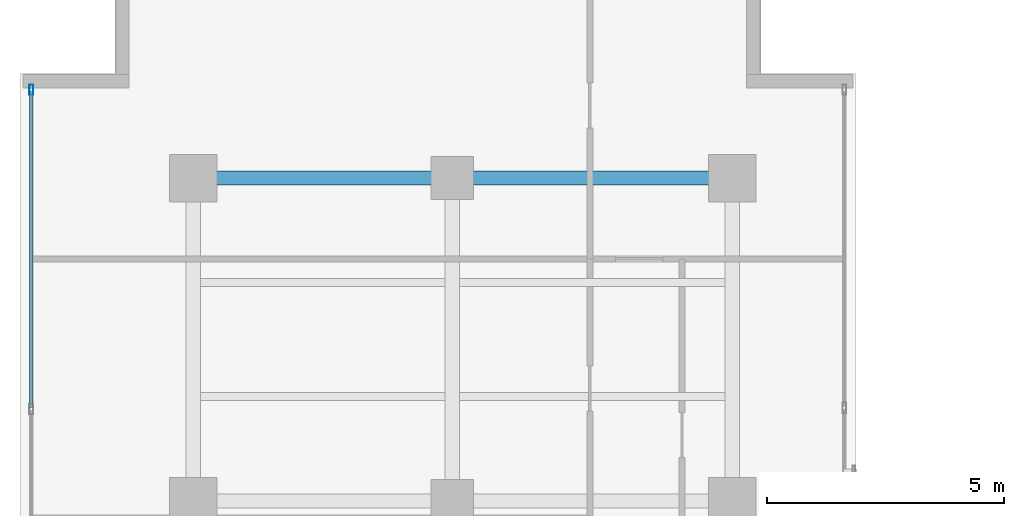
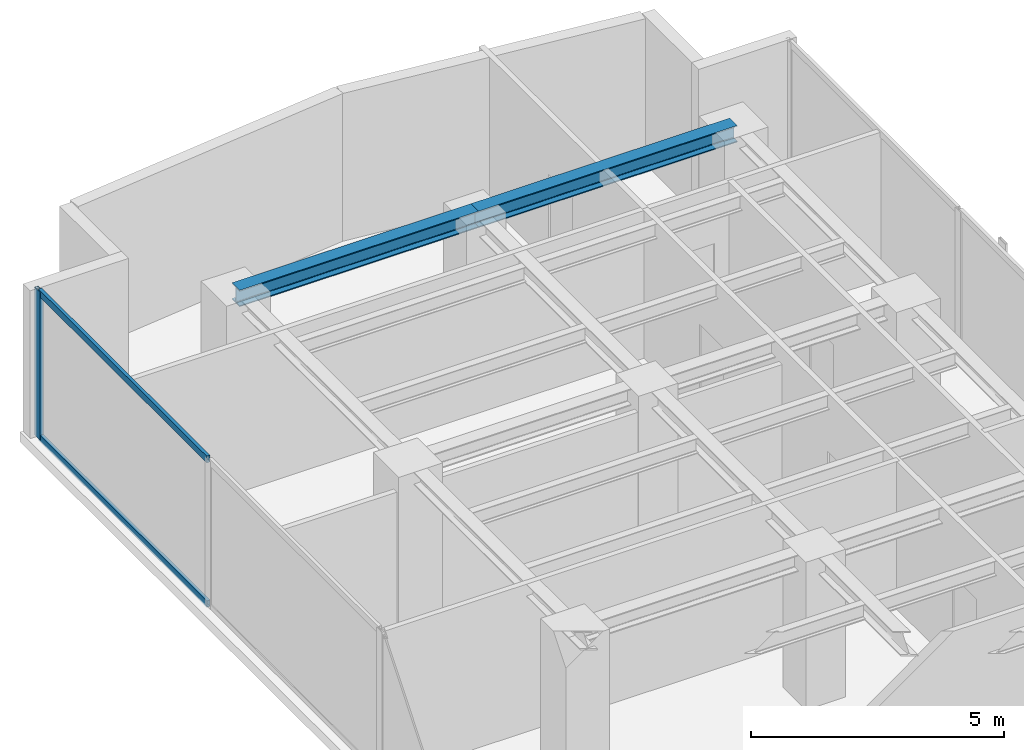
# One storey, part 13 of 23: 3 members, 2 beams, 1 element without a shape of its own.
"""IFC4 building model written with IfcOpenShell, lengths in metres."""

import ifcopenshell
import ifcopenshell.guid

model = None  # the IFC model being written
_history = None  # IfcOwnerHistory: only IFC2X3 demands one
_inside = {}  # id of a spatial element -> (the spatial element, [elements in it])
_under = {}  # id of a project, library or spatial element -> (it, [spatial elements below it])
_declared = {}  # id of a project -> (the project, [libraries it declares])
_typed = {}  # id of a type object -> (the type object, [elements of that type])
_made_of = {}  # id of a material, layer set ... -> (it, [elements and type objects made of it])


def new_model(schema):
    """Start an empty IFC model of exactly this schema.

    Asked for "IFC4X3", IfcOpenShell would pick the latest addendum, in which some entities
    have other attributes; the version numbers below select the first issue.
    IFC2X3 requires an IfcOwnerHistory on every rooted entity: one is made here for all.
    """
    global model, _history
    if schema == "IFC4X3":
        model = ifcopenshell.file(schema_version=(4, 3, 0, 0))
    else:
        model = ifcopenshell.file(schema=schema)
    _inside.clear()
    _under.clear()
    _declared.clear()
    _typed.clear()
    _made_of.clear()
    _history = None
    if model.schema == "IFC2X3":
        org = make("IfcOrganization", Name="unknown")
        user = make(
            "IfcPersonAndOrganization",
            ThePerson=make("IfcPerson", FamilyName="unknown"),
            TheOrganization=org,
        )
        app = make(
            "IfcApplication",
            ApplicationDeveloper=org,
            Version="unknown",
            ApplicationFullName="unknown",
            ApplicationIdentifier="unknown",
        )
        _history = make(
            "IfcOwnerHistory",
            OwningUser=user,
            OwningApplication=app,
            ChangeAction="ADDED",
            CreationDate=0,
        )
    return model


def make(cls, **values):
    """One entity of the class cls with the attributes given. An attribute that is None is left unset."""
    return model.create_entity(
        cls, **{name: value for name, value in values.items() if value is not None}
    )


def rooted(cls, **values):
    """An entity with a GlobalId (a new one), such as an element, a storey or a relation."""
    return make(cls, GlobalId=ifcopenshell.guid.new(), OwnerHistory=_history, **values)


def si_unit(unit_type, name, prefix=None):
    """IfcSIUnit, for example si_unit("LENGTHUNIT", "METRE", prefix="MILLI")."""
    return make("IfcSIUnit", UnitType=unit_type, Prefix=prefix, Name=name)


def assignment(units):
    """IfcUnitAssignment: the units of a project."""
    return None if units is None else make("IfcUnitAssignment", Units=units)


def point(xyz):
    """IfcCartesianPoint."""
    return None if xyz is None else make("IfcCartesianPoint", Coordinates=xyz)


def direction(xyz):
    """IfcDirection."""
    return None if xyz is None else make("IfcDirection", DirectionRatios=xyz)


def frame(location, z_axis=None, x_axis=None):
    """IfcAxis2Placement3D, a coordinate frame: its origin and axes. An axis left out is left unset."""
    return make(
        "IfcAxis2Placement3D",
        Location=point(location),
        Axis=direction(z_axis),
        RefDirection=direction(x_axis),
    )


def frame_2d(location, x_axis=None):
    """IfcAxis2Placement2D, a coordinate frame in the plane: its origin and x axis."""
    return make(
        "IfcAxis2Placement2D", Location=point(location), RefDirection=direction(x_axis)
    )


def origin():
    """The frame at (0, 0, 0) with its axes left unset."""
    return frame((0.0, 0.0, 0.0))


def origin_with_axes():
    """The frame at (0, 0, 0) with the z axis (0, 0, 1) and the x axis (1, 0, 0) written out."""
    return frame((0.0, 0.0, 0.0), z_axis=(0.0, 0.0, 1.0), x_axis=(1.0, 0.0, 0.0))


def origin_2d():
    """The frame at (0, 0) in the plane with its x axis left unset."""
    return frame_2d((0.0, 0.0))


def place(relative_to, where):
    """IfcLocalPlacement: puts the frame where relative to a parent placement (None: the world)."""
    return make(
        "IfcLocalPlacement", PlacementRelTo=relative_to, RelativePlacement=where
    )


def context(
    kind, dimensions, precision=None, world=None, true_north=None, identifier=None
):
    """IfcGeometricRepresentationContext, for example the 3D "Model" context."""
    return make(
        "IfcGeometricRepresentationContext",
        ContextIdentifier=identifier,
        ContextType=kind,
        CoordinateSpaceDimension=dimensions,
        Precision=precision,
        WorldCoordinateSystem=world,
        TrueNorth=true_north,
    )


def subcontext(parent, identifier, kind, view, scale=None):
    """IfcGeometricRepresentationSubContext, for example "Body" below "Model"."""
    return make(
        "IfcGeometricRepresentationSubContext",
        ContextIdentifier=identifier,
        ContextType=kind,
        ParentContext=parent,
        TargetScale=scale,
        TargetView=view,
    )


def project(units=None, contexts=None):
    """IfcProject with its units and contexts."""
    return rooted(
        "IfcProject",
        Name="project",
        RepresentationContexts=contexts,
        UnitsInContext=assignment(units),
    )


def spatial(cls, under=None, at=None, **own):
    """A site, building, storey or space (cls), placed at a placement, below another one or the project."""
    s = rooted(cls, ObjectPlacement=at, **own)
    if under is not None:
        _under.setdefault(under.id(), (under, []))[1].append(s)
    return s


def profile(cls, at=None, kind="AREA", **sizes):
    """A parametric profile (cls). Its sizes go by their IFC names, for example OverallWidth=200.0."""
    return make(cls, ProfileType=kind, Position=at, **sizes)


def hollow_rectangle(**sizes):
    """IfcRectangleHollowProfileDef."""
    return profile("IfcRectangleHollowProfileDef", **sizes)


def i_section(**sizes):
    """IfcIShapeProfileDef."""
    return profile("IfcIShapeProfileDef", **sizes)


def extrude(swept, where, along, depth):
    """IfcExtrudedAreaSolid: the profile swept, set in the frame where, extruded along a direction by depth."""
    return make(
        "IfcExtrudedAreaSolid",
        SweptArea=swept,
        Position=where,
        ExtrudedDirection=direction(along),
        Depth=depth,
    )


def shape(context_of_items, identifier, shape_type, items):
    """IfcShapeRepresentation: the items that make up one representation, for example the "Body"."""
    return make(
        "IfcShapeRepresentation",
        ContextOfItems=context_of_items,
        RepresentationIdentifier=identifier,
        RepresentationType=shape_type,
        Items=items,
    )


def source(mapping_origin, context_of_items, identifier, shape_type, items):
    """IfcRepresentationMap: a shape defined once, which mapped items show again and again."""
    return make(
        "IfcRepresentationMap",
        MappingOrigin=mapping_origin,
        MappedRepresentation=shape(context_of_items, identifier, shape_type, items),
    )


def transform(
    local_origin,
    x_axis=None,
    y_axis=None,
    z_axis=None,
    scale=None,
    scale2=None,
    scale3=None,
    uniform=True,
):
    """IfcCartesianTransformationOperator3D, or its non-uniform kind. x_axis, y_axis, z_axis: its Axis1, 2, 3."""
    if uniform:
        return make(
            "IfcCartesianTransformationOperator3D",
            Axis1=direction(x_axis),
            Axis2=direction(y_axis),
            LocalOrigin=point(local_origin),
            Scale=scale,
            Axis3=direction(z_axis),
        )
    return make(
        "IfcCartesianTransformationOperator3DnonUniform",
        Axis1=direction(x_axis),
        Axis2=direction(y_axis),
        LocalOrigin=point(local_origin),
        Scale=scale,
        Axis3=direction(z_axis),
        Scale2=scale2,
        Scale3=scale3,
    )


def mapped(mapping_source, mapping_target):
    """IfcMappedItem: shows the shape of a source again, moved by a transform."""
    return make(
        "IfcMappedItem", MappingSource=mapping_source, MappingTarget=mapping_target
    )


def material(Name=None, Category=None):
    """IfcMaterial."""
    return make("IfcMaterial", Name=Name, Category=Category)


def layer(
    of_material, thickness, ventilated=None, Name=None, Category=None, Priority=None
):
    """IfcMaterialLayer: one layer of a wall or slab, of a material (None: an air gap)."""
    return make(
        "IfcMaterialLayer",
        Material=of_material,
        LayerThickness=thickness,
        IsVentilated=ventilated,
        Name=Name,
        Category=Category,
        Priority=Priority,
    )


def layer_set(layers, Name=None):
    """IfcMaterialLayerSet."""
    return make("IfcMaterialLayerSet", MaterialLayers=layers, LayerSetName=Name)


def material_profile(
    of_material, cross_section, Name=None, Category=None, Priority=None
):
    """IfcMaterialProfile: a cross section and its material."""
    return make(
        "IfcMaterialProfile",
        Name=Name,
        Material=of_material,
        Profile=cross_section,
        Priority=Priority,
        Category=Category,
    )


def profile_set(profiles, Name=None, composite=None):
    """IfcMaterialProfileSet."""
    return make(
        "IfcMaterialProfileSet",
        Name=Name,
        MaterialProfiles=profiles,
        CompositeProfile=composite,
    )


def made_of(thing, what):
    """Note that an element or type object is made of a material, layer set ...; save() writes the relation."""
    if what is not None:
        _made_of.setdefault(what.id(), (what, []))[1].append(thing)
    return thing


def type_object(cls, material=None, **own):
    """A type object (cls), such as IfcWallType, which elements share."""
    return made_of(rooted(cls, **own), material)


def element(
    cls,
    number,
    at=None,
    inside=None,
    cuts=None,
    type_object=None,
    material=None,
    context=None,
    identifier="Body",
    shape_type=None,
    held_by="IfcProductDefinitionShape",
    body=None,
    shapes=None,
    **own,
):
    """One element of the class cls, such as IfcWall. Its Tag is "e" and its number.

    at: its placement. inside: the storey or other place that contains it. cuts: it is an
    opening in that element (IfcRelVoidsElement). A single representation is given by context,
    identifier, shape_type and body (its items); several are given by shapes. held_by: the class
    of the entity that holds the representations. save() writes the other relations.
    """
    e = rooted(cls, Tag="e%d" % number, ObjectPlacement=at, **own)
    if body is not None:
        shapes = [shape(context, identifier, shape_type, body)]
    if shapes is not None:
        e.Representation = make(held_by, Representations=shapes)
    if inside is not None:
        _inside.setdefault(inside.id(), (inside, []))[1].append(e)
    if cuts is not None:
        rooted(
            "IfcRelVoidsElement", RelatingBuildingElement=cuts, RelatedOpeningElement=e
        )
    if type_object is not None:
        _typed.setdefault(type_object.id(), (type_object, []))[1].append(e)
    return made_of(e, material)


def aggregate(whole, parts):
    """IfcRelAggregates: a whole, such as a stair, and the parts it consists of."""
    return rooted("IfcRelAggregates", RelatingObject=whole, RelatedObjects=parts)


def save(model, path):
    """Write the relations noted so far, then the file.

    IfcRelAggregates (storeys below a building ...), IfcRelContainedInSpatialStructure (elements
    in a storey), IfcRelDefinesByType, IfcRelAssociatesMaterial and IfcRelDeclares: one each for
    every whole, place, type object, material and project.
    """
    for whole, parts in _under.values():
        aggregate(whole, parts)
    for where, things in _inside.values():
        rooted(
            "IfcRelContainedInSpatialStructure",
            RelatedElements=things,
            RelatingStructure=where,
        )
    for kind, things in _typed.values():
        rooted("IfcRelDefinesByType", RelatedObjects=things, RelatingType=kind)
    for what, things in _made_of.values():
        rooted("IfcRelAssociatesMaterial", RelatedObjects=things, RelatingMaterial=what)
    for by, libraries in _declared.values():
        rooted("IfcRelDeclares", RelatingContext=by, RelatedDefinitions=libraries)
    model.write(path)


model = new_model("IFC4")

# Units and contexts
model_context = context("Model", 3, precision=1e-05, world=origin(), true_north=direction((0.0, 1.0)))
body_context = subcontext(model_context, "Body", "Model", "MODEL_VIEW")
ifc_project = project(units=[si_unit("LENGTHUNIT", "METRE"), si_unit("AREAUNIT", "SQUARE_METRE"), si_unit("VOLUMEUNIT", "CUBIC_METRE"), si_unit("PLANEANGLEUNIT", "RADIAN"), si_unit("MASSUNIT", "GRAM", prefix="KILO")], contexts=[model_context])

# Site, building, storey
site_placement = place(None, origin())
site = spatial("IfcSite", under=ifc_project, at=site_placement, CompositionType="ELEMENT")
building_placement = place(site_placement, origin())
building = spatial("IfcBuilding", under=site, at=building_placement, Name="Kolvaren Waterfront Exchange", CompositionType="ELEMENT")
storey_placement = place(building_placement, frame((0.0, 0.0, 227.300048828125)))
storey = spatial("IfcBuildingStorey", under=building, at=storey_placement, Name="L58", CompositionType="ELEMENT", Elevation=227.300048828125)

# Beams
ifc_material_1 = material(Name="Steel S355", Category="steel")
ifc_material_profile_1 = material_profile(ifc_material_1, i_section(OverallWidth=0.300048828125, OverallDepth=0.39990234375, WebThickness=0.013427734375, FlangeThickness=0.02392578125, FilletRadius=0.027099609375, at=origin_2d()), Name="HEB400")
ifc_profile_set_1 = profile_set([ifc_material_profile_1], Name="Steel S355")
beam_type = type_object("IfcBeamType", Name="STR-BM-HEB400", PredefinedType="BEAM", material=ifc_profile_set_1)
beam_1_placement = place(storey_placement, frame((7.449951171875, 44.60009765625, 3.35986328125), z_axis=(1.0, 0.0, 0.0), x_axis=(0.0, 1.0, 0.0)))
element("IfcBeam", 1, at=beam_1_placement, inside=storey, type_object=beam_type, Name="L58 north-arm girder 4A", PredefinedType="BEAM", context=body_context, shape_type="SweptSolid", body=[
    extrude(i_section(OverallWidth=0.300048828125, OverallDepth=0.39990234375, WebThickness=0.013427734375, FlangeThickness=0.02392578125, FilletRadius=0.027099609375, at=origin_2d()), origin(), (0.0, 0.0, 1.0), 5.449951171875),
])
beam_2_placement = place(storey_placement, frame((12.89990234375, 44.60009765625, 3.35986328125), z_axis=(1.0, 0.0, 0.0), x_axis=(0.0, 1.0, 0.0)))
element("IfcBeam", 2, at=beam_2_placement, inside=storey, type_object=beam_type, Name="L58 north-arm girder 4B", PredefinedType="BEAM", context=body_context, shape_type="SweptSolid", body=[
    extrude(i_section(OverallWidth=0.300048828125, OverallDepth=0.39990234375, WebThickness=0.013427734375, FlangeThickness=0.02392578125, FilletRadius=0.027099609375, at=origin_2d()), origin(), (0.0, 0.0, 1.0), 5.900146484375),
])

# Curtain wall, members
ifc_material_2 = material(Name="Anodised aluminium 6063-T6", Category="aluminium")
ifc_layer = layer(ifc_material_2, 0.219970703125, Name="Anodised aluminium 6063-T6")
ifc_layer_set = layer_set([ifc_layer], Name="Anodised aluminium 6063-T6")
curtain_wall_type = type_object("IfcCurtainWallType", Name="ARC-CW-SYS2", PredefinedType="USERDEFINED", material=ifc_layer_set)
curtain_wall_placement = place(storey_placement, origin())
curtain_wall = element("IfcCurtainWall", 3, at=curtain_wall_placement, inside=storey, type_object=curtain_wall_type, Name="L58 stick curtain wall CW2 (CW-L58-W)", ObjectType="STICK CURTAIN WALL", PredefinedType="USERDEFINED")
ifc_material_profile_2 = material_profile(ifc_material_2, hollow_rectangle(XDim=0.080078125, YDim=0.219970703125, WallThickness=0.0048828125, at=origin_2d()), Name="ALU-MUL-220x80x5")
ifc_profile_set_2 = profile_set([ifc_material_profile_2], Name="Anodised aluminium 6063-T6")
member_type_1 = type_object("IfcMemberType", Name="ARC-CWM-220", PredefinedType="MULLION", material=ifc_profile_set_2)
shared_shape_1 = source(origin_with_axes(), body_context, "Body", "SweptSolid", [
    extrude(hollow_rectangle(XDim=0.080078125, YDim=0.219970703125, WallThickness=0.0048828125, at=origin_2d()), origin(), (0.0, 0.0, 1.0), 3.56005859375),
])
member_1_placement = place(storey_placement, frame((4.0400390625, 46.4599609375, 0.0), z_axis=(0.0, 0.0, 1.0), x_axis=(-1.0, 0.0, 0.0)))
member_1 = element("IfcMember", 4, at=member_1_placement, type_object=member_type_1, Name="CW2 mullion 7", PredefinedType="MULLION", context=body_context, shape_type="MappedRepresentation", body=[
    mapped(shared_shape_1, transform((0.0, 0.0, 0.0), x_axis=(1.0, 0.0, 0.0), y_axis=(0.0, 1.0, 0.0), z_axis=(0.0, 0.0, 1.0), scale=1.0)),
])
ifc_material_profile_3 = material_profile(ifc_material_2, hollow_rectangle(XDim=0.074951171875, YDim=0.159912109375, WallThickness=0.00439453125, at=origin_2d()), Name="ALU-TRN-160x75x4.5")
ifc_profile_set_3 = profile_set([ifc_material_profile_3], Name="Anodised aluminium 6063-T6")
member_type_2 = type_object("IfcMemberType", Name="ARC-CWT-160", PredefinedType="USERDEFINED", material=ifc_profile_set_3)
shared_shape_2 = source(origin_with_axes(), body_context, "Body", "SweptSolid", [
    extrude(hollow_rectangle(XDim=0.074951171875, YDim=0.159912109375, WallThickness=0.00439453125, at=origin_2d()), origin(), (0.0, 0.0, 1.0), 6.646484375),
])
member_2_placement = place(storey_placement, frame((4.0400390625, 39.7734375, 0.037353515625), z_axis=(0.0, 1.0, 0.0), x_axis=(-1.0, 0.0, 0.0)))
member_2 = element("IfcMember", 5, at=member_2_placement, type_object=member_type_2, Name="CW2 transom 6.1", ObjectType="TRANSOM", PredefinedType="USERDEFINED", context=body_context, shape_type="MappedRepresentation", body=[
    mapped(shared_shape_2, transform((0.0, 0.0, 0.0), x_axis=(1.0, 0.0, 0.0), y_axis=(0.0, 1.0, 0.0), z_axis=(0.0, 0.0, 1.0), scale=1.0)),
])
member_3_placement = place(storey_placement, frame((4.0400390625, 39.7734375, 3.5224609375), z_axis=(0.0, 1.0, 0.0), x_axis=(-1.0, 0.0, 0.0)))
member_3 = element("IfcMember", 6, at=member_3_placement, type_object=member_type_2, Name="CW2 transom 6.2", ObjectType="TRANSOM", PredefinedType="USERDEFINED", context=body_context, shape_type="MappedRepresentation", body=[
    mapped(shared_shape_2, transform((0.0, 0.0, 0.0), x_axis=(1.0, 0.0, 0.0), y_axis=(0.0, 1.0, 0.0), z_axis=(0.0, 0.0, 1.0), scale=1.0)),
])
aggregate(curtain_wall, [member_1, member_2, member_3])

save(model, "model.ifc")
